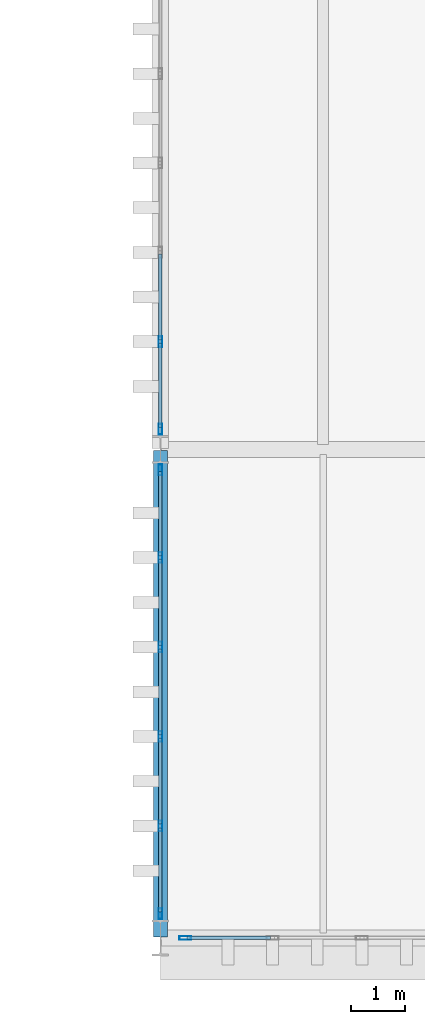
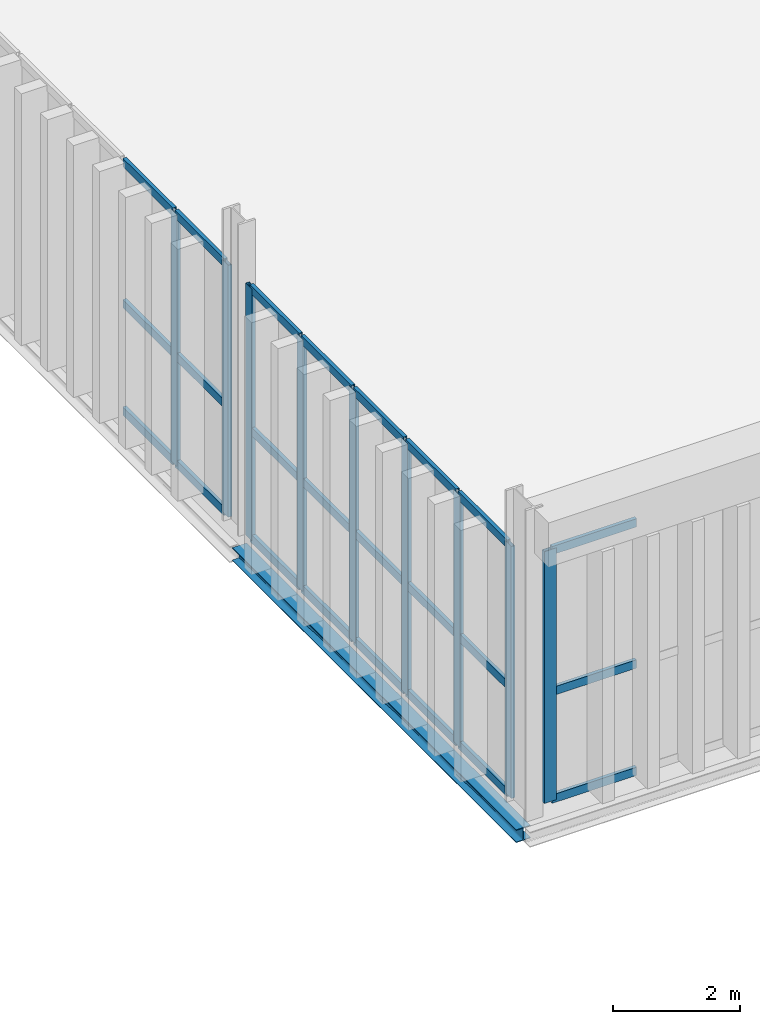
# One storey, part 74 of 237: 33 members, 1 beam, 3 elements without a shape of their own.
"""IFC4 building model written with IfcOpenShell, lengths in metres."""

from ifc_helpers import new_model, si_unit, direction, frame, origin, origin_2d, place, context, subcontext, project, spatial, hollow_rectangle, i_section, extrude, material, layer, layer_set, material_profile, profile_set, type_object, element, aggregate, save


model = new_model("IFC4")

# Units and contexts
model_context = context("Model", 3, precision=1e-05, world=origin(), true_north=direction((0.0, 1.0)))
body_context = subcontext(model_context, "Body", "Model", "MODEL_VIEW")
ifc_project = project(units=[si_unit("LENGTHUNIT", "METRE"), si_unit("AREAUNIT", "SQUARE_METRE"), si_unit("VOLUMEUNIT", "CUBIC_METRE"), si_unit("PLANEANGLEUNIT", "RADIAN"), si_unit("MASSUNIT", "GRAM", prefix="KILO")], contexts=[model_context])

# Site, building, storey
site_placement = place(None, origin())
site = spatial("IfcSite", under=ifc_project, at=site_placement, CompositionType="ELEMENT")
building_placement = place(site_placement, origin())
building = spatial("IfcBuilding", under=site, at=building_placement, Name="Barlavento Convention Centre", CompositionType="ELEMENT")
storey_placement = place(building_placement, frame((0.0, 0.0, 12.0)))
storey = spatial("IfcBuildingStorey", under=building, at=storey_placement, Name="L02", CompositionType="ELEMENT", Elevation=12.0)

# Curtain wall, members
ifc_material_1 = material(Name="Powder-coated aluminium and Low-E glass", Category="aluminium")
ifc_layer = layer(ifc_material_1, 0.195068359375)
ifc_layer_set = layer_set([ifc_layer], Name="ARC-CW-BALL-L02")
curtain_wall_type = type_object("IfcCurtainWallType", Name="ARC-CW-BALL-L02", PredefinedType="NOTDEFINED", material=ifc_layer_set)
curtain_wall_1_placement = place(storey_placement, origin())
curtain_wall_1 = element("IfcCurtainWall", 1, at=curtain_wall_1_placement, inside=storey, type_object=curtain_wall_type, Name="L02 unitised curtain wall CW07", PredefinedType="NOTDEFINED")
ifc_material_2 = material(Name="Powder-coated aluminium", Category="aluminium")
ifc_material_profile_1 = material_profile(ifc_material_2, hollow_rectangle(XDim=0.06494140625, YDim=0.199951171875, WallThickness=0.0048828125, at=origin_2d()), Name="AL-MULL 65x200x5")
ifc_profile_set_1 = profile_set([ifc_material_profile_1], Name="Powder-coated aluminium")
member_type_1 = type_object("IfcMemberType", Name="ARC-CWM-65X200", PredefinedType="MULLION", material=ifc_profile_set_1)
member_1_placement = place(storey_placement, frame((126.0, 0.446533203125, 0.0), z_axis=(0.0, 0.0, 1.0), x_axis=(-1.0, 0.0, 0.0)))
member_1 = element("IfcMember", 2, at=member_1_placement, type_object=member_type_1, Name="CW07 mullion 1", PredefinedType="MULLION", context=body_context, shape_type="SweptSolid", body=[
    extrude(hollow_rectangle(XDim=0.06494140625, YDim=0.199951171875, WallThickness=0.0048828125, at=origin_2d()), origin(), (0.0, 0.0, 1.0), 4.85009765625),
])
member_2_placement = place(storey_placement, frame((126.0, 2.062744140625, 0.0), z_axis=(0.0, 0.0, 1.0), x_axis=(-1.0, 0.0, 0.0)))
member_2 = element("IfcMember", 3, at=member_2_placement, type_object=member_type_1, Name="CW07 mullion 2", PredefinedType="MULLION", context=body_context, shape_type="SweptSolid", body=[
    extrude(hollow_rectangle(XDim=0.06494140625, YDim=0.199951171875, WallThickness=0.0048828125, at=origin_2d()), origin(), (0.0, 0.0, 1.0), 4.85009765625),
])
member_3_placement = place(storey_placement, frame((126.0, 3.711669921875, 0.0), z_axis=(0.0, 0.0, 1.0), x_axis=(-1.0, 0.0, 0.0)))
member_3 = element("IfcMember", 4, at=member_3_placement, type_object=member_type_1, Name="CW07 mullion 3", PredefinedType="MULLION", context=body_context, shape_type="SweptSolid", body=[
    extrude(hollow_rectangle(XDim=0.06494140625, YDim=0.199951171875, WallThickness=0.0048828125, at=origin_2d()), origin(), (0.0, 0.0, 1.0), 4.85009765625),
])
member_4_placement = place(storey_placement, frame((126.0, 5.3603515625, 0.0), z_axis=(0.0, 0.0, 1.0), x_axis=(-1.0, 0.0, 0.0)))
member_4 = element("IfcMember", 5, at=member_4_placement, type_object=member_type_1, Name="CW07 mullion 4", PredefinedType="MULLION", context=body_context, shape_type="SweptSolid", body=[
    extrude(hollow_rectangle(XDim=0.06494140625, YDim=0.199951171875, WallThickness=0.0048828125, at=origin_2d()), origin(), (0.0, 0.0, 1.0), 4.85009765625),
])
member_5_placement = place(storey_placement, frame((126.0, 7.00927734375, 0.0), z_axis=(0.0, 0.0, 1.0), x_axis=(-1.0, 0.0, 0.0)))
member_5 = element("IfcMember", 6, at=member_5_placement, type_object=member_type_1, Name="CW07 mullion 5", PredefinedType="MULLION", context=body_context, shape_type="SweptSolid", body=[
    extrude(hollow_rectangle(XDim=0.06494140625, YDim=0.199951171875, WallThickness=0.0048828125, at=origin_2d()), origin(), (0.0, 0.0, 1.0), 4.85009765625),
])
member_6_placement = place(storey_placement, frame((126.0, 8.62548828125, 0.0), z_axis=(0.0, 0.0, 1.0), x_axis=(-1.0, 0.0, 0.0)))
member_6 = element("IfcMember", 7, at=member_6_placement, type_object=member_type_1, Name="CW07 mullion 6", PredefinedType="MULLION", context=body_context, shape_type="SweptSolid", body=[
    extrude(hollow_rectangle(XDim=0.06494140625, YDim=0.199951171875, WallThickness=0.0048828125, at=origin_2d()), origin(), (0.0, 0.0, 1.0), 4.85009765625),
])

curtain_wall_2_placement = place(storey_placement, origin())
curtain_wall_2 = element("IfcCurtainWall", 8, at=curtain_wall_2_placement, inside=storey, type_object=curtain_wall_type, Name="L02 unitised curtain wall CW07", PredefinedType="NOTDEFINED")
member_7_placement = place(storey_placement, frame((126.0, 9.37451171875, 0.0), z_axis=(0.0, 0.0, 1.0), x_axis=(-1.0, 0.0, 0.0)))
member_7 = element("IfcMember", 9, at=member_7_placement, type_object=member_type_1, Name="CW07 mullion 1", PredefinedType="MULLION", context=body_context, shape_type="SweptSolid", body=[
    extrude(hollow_rectangle(XDim=0.06494140625, YDim=0.199951171875, WallThickness=0.0048828125, at=origin_2d()), origin(), (0.0, 0.0, 1.0), 4.85009765625),
])
member_8_placement = place(storey_placement, frame((126.0, 10.987548828125, 0.0), z_axis=(0.0, 0.0, 1.0), x_axis=(-1.0, 0.0, 0.0)))
member_8 = element("IfcMember", 10, at=member_8_placement, type_object=member_type_1, Name="CW07 mullion 2", PredefinedType="MULLION", context=body_context, shape_type="SweptSolid", body=[
    extrude(hollow_rectangle(XDim=0.06494140625, YDim=0.199951171875, WallThickness=0.0048828125, at=origin_2d()), origin(), (0.0, 0.0, 1.0), 4.85009765625),
])

curtain_wall_3_placement = place(storey_placement, origin())
curtain_wall_3 = element("IfcCurtainWall", 11, at=curtain_wall_3_placement, inside=storey, type_object=curtain_wall_type, Name="L02 unitised curtain wall CW07", PredefinedType="NOTDEFINED")
ifc_material_profile_2 = material_profile(ifc_material_2, hollow_rectangle(XDim=0.070068359375, YDim=0.219970703125, WallThickness=0.006103515625, at=origin_2d()), Name="AL-MULL 70x220x6")
ifc_profile_set_2 = profile_set([ifc_material_profile_2], Name="Powder-coated aluminium")
member_type_2 = type_object("IfcMemberType", Name="ARC-CWM-70X220", PredefinedType="MULLION", material=ifc_profile_set_2)
member_9_placement = place(storey_placement, frame((126.458984375, 0.0, 0.0), z_axis=(0.0, 0.0, 1.0), x_axis=(0.0, 1.0, 0.0)))
member_9 = element("IfcMember", 12, at=member_9_placement, type_object=member_type_2, Name="CW07 mullion 1", PredefinedType="MULLION", context=body_context, shape_type="SweptSolid", body=[
    extrude(hollow_rectangle(XDim=0.070068359375, YDim=0.219970703125, WallThickness=0.006103515625, at=origin_2d()), origin(), (0.0, 0.0, 1.0), 4.85009765625),
])
ifc_material_profile_3 = material_profile(ifc_material_2, hollow_rectangle(XDim=0.06494140625, YDim=0.159912109375, WallThickness=0.0048828125, at=origin_2d()), Name="AL-TRAN 65x160x5")
ifc_profile_set_3 = profile_set([ifc_material_profile_3], Name="Powder-coated aluminium")
member_type_3 = type_object("IfcMemberType", Name="ARC-CWT-65X160", PredefinedType="USERDEFINED", material=ifc_profile_set_3)
member_10_placement = place(storey_placement, frame((126.493896484375, 0.0, 0.032470703125), z_axis=(1.0, 0.0, 0.0), x_axis=(0.0, 1.0, 0.0)))
member_10 = element("IfcMember", 13, at=member_10_placement, type_object=member_type_3, Name="CW07 transom 1.1", ObjectType="TRANSOM", PredefinedType="USERDEFINED", context=body_context, shape_type="SweptSolid", body=[
    extrude(hollow_rectangle(XDim=0.06494140625, YDim=0.159912109375, WallThickness=0.0048828125, at=origin_2d()), origin(), (0.0, 0.0, 1.0), 1.539794921875),
])
member_11_placement = place(storey_placement, frame((126.493896484375, 0.0, 2.10009765625), z_axis=(1.0, 0.0, 0.0), x_axis=(0.0, 1.0, 0.0)))
member_11 = element("IfcMember", 14, at=member_11_placement, type_object=member_type_3, Name="CW07 transom 1.2", ObjectType="TRANSOM", PredefinedType="USERDEFINED", context=body_context, shape_type="SweptSolid", body=[
    extrude(hollow_rectangle(XDim=0.06494140625, YDim=0.159912109375, WallThickness=0.0048828125, at=origin_2d()), origin(), (0.0, 0.0, 1.0), 1.539794921875),
])
member_12_placement = place(storey_placement, frame((126.493896484375, 0.0, 4.8173828125), z_axis=(1.0, 0.0, 0.0), x_axis=(0.0, 1.0, 0.0)))
member_12 = element("IfcMember", 15, at=member_12_placement, type_object=member_type_3, Name="CW07 transom 1.3", ObjectType="TRANSOM", PredefinedType="USERDEFINED", context=body_context, shape_type="SweptSolid", body=[
    extrude(hollow_rectangle(XDim=0.06494140625, YDim=0.159912109375, WallThickness=0.0048828125, at=origin_2d()), origin(), (0.0, 0.0, 1.0), 1.539794921875),
])
aggregate(curtain_wall_3, [member_9, member_10, member_11, member_12])

# Member
member_13_placement = place(storey_placement, frame((126.0, 0.47900390625, 0.032470703125), z_axis=(0.0, 1.0, 0.0), x_axis=(-1.0, 0.0, 0.0)))
member_13 = element("IfcMember", 16, at=member_13_placement, type_object=member_type_3, Name="CW07 transom 1.1", ObjectType="TRANSOM", PredefinedType="USERDEFINED", context=body_context, shape_type="SweptSolid", body=[
    extrude(hollow_rectangle(XDim=0.06494140625, YDim=0.159912109375, WallThickness=0.0048828125, at=origin_2d()), origin(), (0.0, 0.0, 1.0), 1.55126953125),
])

member_14_placement = place(storey_placement, frame((126.0, 0.47900390625, 2.10009765625), z_axis=(0.0, 1.0, 0.0), x_axis=(-1.0, 0.0, 0.0)))
member_14 = element("IfcMember", 17, at=member_14_placement, type_object=member_type_3, Name="CW07 transom 1.2", ObjectType="TRANSOM", PredefinedType="USERDEFINED", context=body_context, shape_type="SweptSolid", body=[
    extrude(hollow_rectangle(XDim=0.06494140625, YDim=0.159912109375, WallThickness=0.0048828125, at=origin_2d()), origin(), (0.0, 0.0, 1.0), 1.55126953125),
])

member_15_placement = place(storey_placement, frame((126.0, 0.47900390625, 4.8173828125), z_axis=(0.0, 1.0, 0.0), x_axis=(-1.0, 0.0, 0.0)))
member_15 = element("IfcMember", 18, at=member_15_placement, type_object=member_type_3, Name="CW07 transom 1.3", ObjectType="TRANSOM", PredefinedType="USERDEFINED", context=body_context, shape_type="SweptSolid", body=[
    extrude(hollow_rectangle(XDim=0.06494140625, YDim=0.159912109375, WallThickness=0.0048828125, at=origin_2d()), origin(), (0.0, 0.0, 1.0), 1.55126953125),
])

member_16_placement = place(storey_placement, frame((126.0, 2.09521484375, 0.032470703125), z_axis=(0.0, 1.0, 0.0), x_axis=(-1.0, 0.0, 0.0)))
member_16 = element("IfcMember", 19, at=member_16_placement, type_object=member_type_3, Name="CW07 transom 2.1", ObjectType="TRANSOM", PredefinedType="USERDEFINED", context=body_context, shape_type="SweptSolid", body=[
    extrude(hollow_rectangle(XDim=0.06494140625, YDim=0.159912109375, WallThickness=0.0048828125, at=origin_2d()), origin(), (0.0, 0.0, 1.0), 1.583984375),
])

member_17_placement = place(storey_placement, frame((126.0, 2.09521484375, 2.10009765625), z_axis=(0.0, 1.0, 0.0), x_axis=(-1.0, 0.0, 0.0)))
member_17 = element("IfcMember", 20, at=member_17_placement, type_object=member_type_3, Name="CW07 transom 2.2", ObjectType="TRANSOM", PredefinedType="USERDEFINED", context=body_context, shape_type="SweptSolid", body=[
    extrude(hollow_rectangle(XDim=0.06494140625, YDim=0.159912109375, WallThickness=0.0048828125, at=origin_2d()), origin(), (0.0, 0.0, 1.0), 1.583984375),
])

member_18_placement = place(storey_placement, frame((126.0, 2.09521484375, 4.8173828125), z_axis=(0.0, 1.0, 0.0), x_axis=(-1.0, 0.0, 0.0)))
member_18 = element("IfcMember", 21, at=member_18_placement, type_object=member_type_3, Name="CW07 transom 2.3", ObjectType="TRANSOM", PredefinedType="USERDEFINED", context=body_context, shape_type="SweptSolid", body=[
    extrude(hollow_rectangle(XDim=0.06494140625, YDim=0.159912109375, WallThickness=0.0048828125, at=origin_2d()), origin(), (0.0, 0.0, 1.0), 1.583984375),
])

member_19_placement = place(storey_placement, frame((126.0, 3.744140625, 0.032470703125), z_axis=(0.0, 1.0, 0.0), x_axis=(-1.0, 0.0, 0.0)))
member_19 = element("IfcMember", 22, at=member_19_placement, type_object=member_type_3, Name="CW07 transom 3.1", ObjectType="TRANSOM", PredefinedType="USERDEFINED", context=body_context, shape_type="SweptSolid", body=[
    extrude(hollow_rectangle(XDim=0.06494140625, YDim=0.159912109375, WallThickness=0.0048828125, at=origin_2d()), origin(), (0.0, 0.0, 1.0), 1.583740234375),
])

member_20_placement = place(storey_placement, frame((126.0, 3.744140625, 2.10009765625), z_axis=(0.0, 1.0, 0.0), x_axis=(-1.0, 0.0, 0.0)))
member_20 = element("IfcMember", 23, at=member_20_placement, type_object=member_type_3, Name="CW07 transom 3.2", ObjectType="TRANSOM", PredefinedType="USERDEFINED", context=body_context, shape_type="SweptSolid", body=[
    extrude(hollow_rectangle(XDim=0.06494140625, YDim=0.159912109375, WallThickness=0.0048828125, at=origin_2d()), origin(), (0.0, 0.0, 1.0), 1.583740234375),
])

member_21_placement = place(storey_placement, frame((126.0, 3.744140625, 4.8173828125), z_axis=(0.0, 1.0, 0.0), x_axis=(-1.0, 0.0, 0.0)))
member_21 = element("IfcMember", 24, at=member_21_placement, type_object=member_type_3, Name="CW07 transom 3.3", ObjectType="TRANSOM", PredefinedType="USERDEFINED", context=body_context, shape_type="SweptSolid", body=[
    extrude(hollow_rectangle(XDim=0.06494140625, YDim=0.159912109375, WallThickness=0.0048828125, at=origin_2d()), origin(), (0.0, 0.0, 1.0), 1.583740234375),
])

member_22_placement = place(storey_placement, frame((126.0, 5.392822265625, 0.032470703125), z_axis=(0.0, 1.0, 0.0), x_axis=(-1.0, 0.0, 0.0)))
member_22 = element("IfcMember", 25, at=member_22_placement, type_object=member_type_3, Name="CW07 transom 4.1", ObjectType="TRANSOM", PredefinedType="USERDEFINED", context=body_context, shape_type="SweptSolid", body=[
    extrude(hollow_rectangle(XDim=0.06494140625, YDim=0.159912109375, WallThickness=0.0048828125, at=origin_2d()), origin(), (0.0, 0.0, 1.0), 1.583984375),
])

member_23_placement = place(storey_placement, frame((126.0, 5.392822265625, 2.10009765625), z_axis=(0.0, 1.0, 0.0), x_axis=(-1.0, 0.0, 0.0)))
member_23 = element("IfcMember", 26, at=member_23_placement, type_object=member_type_3, Name="CW07 transom 4.2", ObjectType="TRANSOM", PredefinedType="USERDEFINED", context=body_context, shape_type="SweptSolid", body=[
    extrude(hollow_rectangle(XDim=0.06494140625, YDim=0.159912109375, WallThickness=0.0048828125, at=origin_2d()), origin(), (0.0, 0.0, 1.0), 1.583984375),
])

member_24_placement = place(storey_placement, frame((126.0, 5.392822265625, 4.8173828125), z_axis=(0.0, 1.0, 0.0), x_axis=(-1.0, 0.0, 0.0)))
member_24 = element("IfcMember", 27, at=member_24_placement, type_object=member_type_3, Name="CW07 transom 4.3", ObjectType="TRANSOM", PredefinedType="USERDEFINED", context=body_context, shape_type="SweptSolid", body=[
    extrude(hollow_rectangle(XDim=0.06494140625, YDim=0.159912109375, WallThickness=0.0048828125, at=origin_2d()), origin(), (0.0, 0.0, 1.0), 1.583984375),
])

member_25_placement = place(storey_placement, frame((126.0, 7.041748046875, 0.032470703125), z_axis=(0.0, 1.0, 0.0), x_axis=(-1.0, 0.0, 0.0)))
member_25 = element("IfcMember", 28, at=member_25_placement, type_object=member_type_3, Name="CW07 transom 5.1", ObjectType="TRANSOM", PredefinedType="USERDEFINED", context=body_context, shape_type="SweptSolid", body=[
    extrude(hollow_rectangle(XDim=0.06494140625, YDim=0.159912109375, WallThickness=0.0048828125, at=origin_2d()), origin(), (0.0, 0.0, 1.0), 1.55126953125),
])

member_26_placement = place(storey_placement, frame((126.0, 7.041748046875, 2.10009765625), z_axis=(0.0, 1.0, 0.0), x_axis=(-1.0, 0.0, 0.0)))
member_26 = element("IfcMember", 29, at=member_26_placement, type_object=member_type_3, Name="CW07 transom 5.2", ObjectType="TRANSOM", PredefinedType="USERDEFINED", context=body_context, shape_type="SweptSolid", body=[
    extrude(hollow_rectangle(XDim=0.06494140625, YDim=0.159912109375, WallThickness=0.0048828125, at=origin_2d()), origin(), (0.0, 0.0, 1.0), 1.55126953125),
])

member_27_placement = place(storey_placement, frame((126.0, 7.041748046875, 4.8173828125), z_axis=(0.0, 1.0, 0.0), x_axis=(-1.0, 0.0, 0.0)))
member_27 = element("IfcMember", 30, at=member_27_placement, type_object=member_type_3, Name="CW07 transom 5.3", ObjectType="TRANSOM", PredefinedType="USERDEFINED", context=body_context, shape_type="SweptSolid", body=[
    extrude(hollow_rectangle(XDim=0.06494140625, YDim=0.159912109375, WallThickness=0.0048828125, at=origin_2d()), origin(), (0.0, 0.0, 1.0), 1.55126953125),
])

aggregate(curtain_wall_1, [member_1, member_2, member_3, member_4, member_5, member_6, member_13, member_14, member_15, member_16, member_17, member_18, member_19, member_20, member_21, member_22, member_23, member_24, member_25, member_26, member_27])

member_28_placement = place(storey_placement, frame((126.0, 9.406982421875, 0.032470703125), z_axis=(0.0, 1.0, 0.0), x_axis=(-1.0, 0.0, 0.0)))
member_28 = element("IfcMember", 31, at=member_28_placement, type_object=member_type_3, Name="CW07 transom 1.1", ObjectType="TRANSOM", PredefinedType="USERDEFINED", context=body_context, shape_type="SweptSolid", body=[
    extrude(hollow_rectangle(XDim=0.06494140625, YDim=0.159912109375, WallThickness=0.0048828125, at=origin_2d()), origin(), (0.0, 0.0, 1.0), 1.548095703125),
])

member_29_placement = place(storey_placement, frame((126.0, 9.406982421875, 2.10009765625), z_axis=(0.0, 1.0, 0.0), x_axis=(-1.0, 0.0, 0.0)))
member_29 = element("IfcMember", 32, at=member_29_placement, type_object=member_type_3, Name="CW07 transom 1.2", ObjectType="TRANSOM", PredefinedType="USERDEFINED", context=body_context, shape_type="SweptSolid", body=[
    extrude(hollow_rectangle(XDim=0.06494140625, YDim=0.159912109375, WallThickness=0.0048828125, at=origin_2d()), origin(), (0.0, 0.0, 1.0), 1.548095703125),
])

member_30_placement = place(storey_placement, frame((126.0, 9.406982421875, 4.8173828125), z_axis=(0.0, 1.0, 0.0), x_axis=(-1.0, 0.0, 0.0)))
member_30 = element("IfcMember", 33, at=member_30_placement, type_object=member_type_3, Name="CW07 transom 1.3", ObjectType="TRANSOM", PredefinedType="USERDEFINED", context=body_context, shape_type="SweptSolid", body=[
    extrude(hollow_rectangle(XDim=0.06494140625, YDim=0.159912109375, WallThickness=0.0048828125, at=origin_2d()), origin(), (0.0, 0.0, 1.0), 1.548095703125),
])

member_31_placement = place(storey_placement, frame((126.0, 11.02001953125, 0.032470703125), z_axis=(0.0, 1.0, 0.0), x_axis=(-1.0, 0.0, 0.0)))
member_31 = element("IfcMember", 34, at=member_31_placement, type_object=member_type_3, Name="CW07 transom 2.1", ObjectType="TRANSOM", PredefinedType="USERDEFINED", context=body_context, shape_type="SweptSolid", body=[
    extrude(hollow_rectangle(XDim=0.06494140625, YDim=0.159912109375, WallThickness=0.0048828125, at=origin_2d()), origin(), (0.0, 0.0, 1.0), 1.58056640625),
])

member_32_placement = place(storey_placement, frame((126.0, 11.02001953125, 2.10009765625), z_axis=(0.0, 1.0, 0.0), x_axis=(-1.0, 0.0, 0.0)))
member_32 = element("IfcMember", 35, at=member_32_placement, type_object=member_type_3, Name="CW07 transom 2.2", ObjectType="TRANSOM", PredefinedType="USERDEFINED", context=body_context, shape_type="SweptSolid", body=[
    extrude(hollow_rectangle(XDim=0.06494140625, YDim=0.159912109375, WallThickness=0.0048828125, at=origin_2d()), origin(), (0.0, 0.0, 1.0), 1.58056640625),
])

member_33_placement = place(storey_placement, frame((126.0, 11.02001953125, 4.8173828125), z_axis=(0.0, 1.0, 0.0), x_axis=(-1.0, 0.0, 0.0)))
member_33 = element("IfcMember", 36, at=member_33_placement, type_object=member_type_3, Name="CW07 transom 2.3", ObjectType="TRANSOM", PredefinedType="USERDEFINED", context=body_context, shape_type="SweptSolid", body=[
    extrude(hollow_rectangle(XDim=0.06494140625, YDim=0.159912109375, WallThickness=0.0048828125, at=origin_2d()), origin(), (0.0, 0.0, 1.0), 1.58056640625),
])

aggregate(curtain_wall_2, [member_7, member_8, member_28, member_29, member_30, member_31, member_32, member_33])

# Beam
ifc_material_3 = material(Name="Steel S355", Category="steel")
ifc_material_profile_4 = material_profile(ifc_material_3, i_section(OverallWidth=0.260009765625, OverallDepth=0.25, WebThickness=0.007568359375, FlangeThickness=0.012451171875, FilletRadius=0.02392578125, at=origin_2d()), Name="HEA 260")
ifc_profile_set_4 = profile_set([ifc_material_profile_4], Name="Steel S355")
beam_type = type_object("IfcBeamType", Name="STR-BM-SPN-HEA260", PredefinedType="SPANDREL", material=ifc_profile_set_4)
beam_placement = place(storey_placement, frame((126.0, 0.02001953125, -0.4951171875), z_axis=(0.0, 1.0, 0.0), x_axis=(-1.0, 0.0, 0.0)))
element("IfcBeam", 37, at=beam_placement, inside=storey, type_object=beam_type, Name="L02 grid girder SP04", PredefinedType="SPANDREL", context=body_context, shape_type="SweptSolid", body=[
    extrude(i_section(OverallWidth=0.260009765625, OverallDepth=0.25, WebThickness=0.007568359375, FlangeThickness=0.012451171875, FilletRadius=0.02392578125, at=origin_2d()), origin(), (0.0, 0.0, 1.0), 8.9599609375),
])

save(model, "model.ifc")
